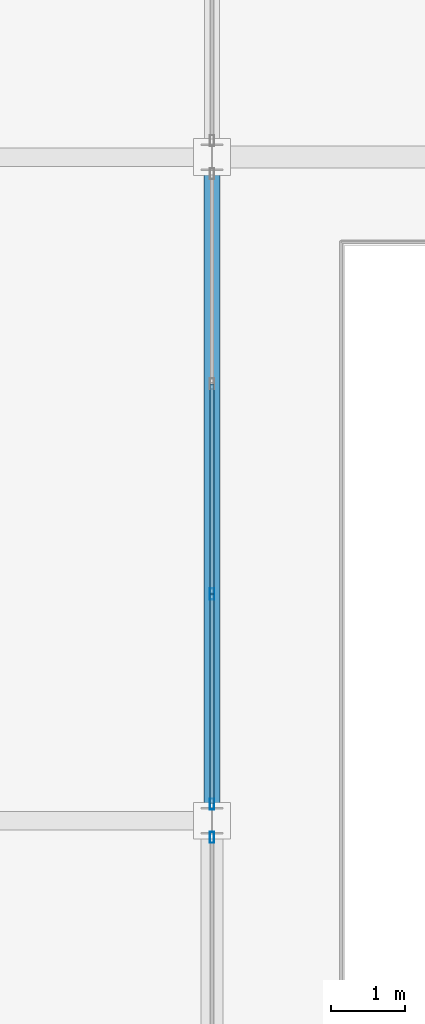
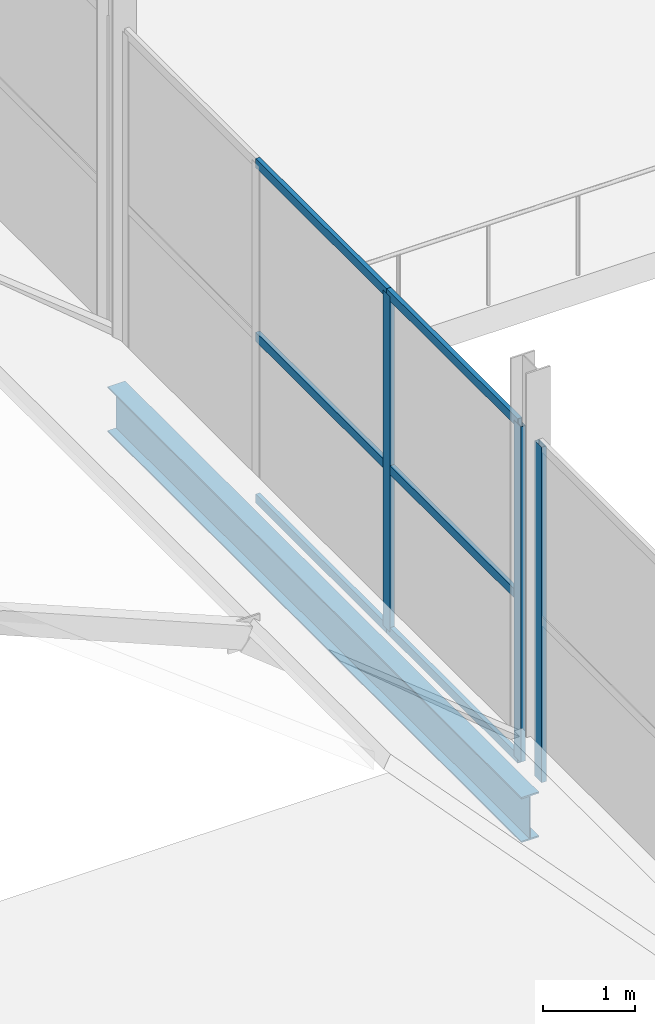
# One storey, part 34 of 141: 9 members, 1 beam, 2 elements without a shape of their own.
"""IFC4 building model written with IfcOpenShell, lengths in metres."""

from ifc_helpers import new_model, si_unit, direction, frame, origin, origin_2d, place, context, subcontext, project, spatial, hollow_rectangle, i_section, extrude, material, layer, layer_set, material_profile, profile_set, type_object, element, aggregate, save


model = new_model("IFC4")

# Units and contexts
model_context = context("Model", 3, precision=1e-05, world=origin(), true_north=direction((0.0, 1.0)))
body_context = subcontext(model_context, "Body", "Model", "MODEL_VIEW")
ifc_project = project(units=[si_unit("LENGTHUNIT", "METRE"), si_unit("AREAUNIT", "SQUARE_METRE"), si_unit("VOLUMEUNIT", "CUBIC_METRE"), si_unit("PLANEANGLEUNIT", "RADIAN"), si_unit("MASSUNIT", "GRAM", prefix="KILO")], contexts=[model_context])

# Site, building, storey
site_placement = place(None, origin())
site = spatial("IfcSite", under=ifc_project, at=site_placement, CompositionType="ELEMENT")
building_placement = place(site_placement, origin())
building = spatial("IfcBuilding", under=site, at=building_placement, Name="Sundgate Opera House", CompositionType="ELEMENT")
storey_placement = place(building_placement, frame((0.0, 0.0, 11.39990234375)))
storey = spatial("IfcBuildingStorey", under=building, at=storey_placement, Name="L02", CompositionType="ELEMENT", Elevation=11.39990234375)

# Beam
ifc_material_1 = material(Name="Steel S355J2", Category="steel")
ifc_material_profile_1 = material_profile(ifc_material_1, i_section(OverallWidth=0.219970703125, OverallDepth=0.60009765625, WebThickness=0.011962890625, FlangeThickness=0.01904296875, at=origin_2d()), Name="IPE 600")
ifc_profile_set_1 = profile_set([ifc_material_profile_1], Name="Steel S355J2")
beam_type = type_object("IfcBeamType", Name="BM-GR-IPE600", PredefinedType="BEAM", material=ifc_profile_set_1)
beam_placement = place(storey_placement, frame((95.39990234375, 51.0, -0.64990234375), z_axis=(0.0, 1.0, 0.0), x_axis=(-1.0, 0.0, 0.0)))
element("IfcBeam", 1, at=beam_placement, inside=storey, type_object=beam_type, Name="L02 Primary N-S Girder B1849", PredefinedType="BEAM", context=body_context, shape_type="SweptSolid", body=[
    extrude(i_section(OverallWidth=0.219970703125, OverallDepth=0.60009765625, WebThickness=0.011962890625, FlangeThickness=0.01904296875, at=origin_2d()), origin(), (0.0, 0.0, 1.0), 9.0),
])

# Curtain wall, member
ifc_material_2 = material(Name="Anodized aluminium and low-iron glass", Category="aluminium")
ifc_layer = layer(ifc_material_2, 0.159912109375)
ifc_layer_set = layer_set([ifc_layer], Name="Anodized aluminium and low-iron glass")
curtain_wall_type = type_object("IfcCurtainWallType", Name="CW-STUDIO-DARK", PredefinedType="NOTDEFINED", material=ifc_layer_set)
curtain_wall_1_placement = place(storey_placement, origin())
curtain_wall_1 = element("IfcCurtainWall", 2, at=curtain_wall_1_placement, inside=storey, type_object=curtain_wall_type, Name="L02 Curtain Wall CW064", PredefinedType="NOTDEFINED")
ifc_material_3 = material(Name="Anodized aluminium EN AW-6063", Category="aluminium")
ifc_material_profile_2 = material_profile(ifc_material_3, hollow_rectangle(XDim=0.06005859375, YDim=0.14990234375, WallThickness=0.00390625, at=origin_2d()), Name="CWM 150x60x4")
ifc_profile_set_2 = profile_set([ifc_material_profile_2], Name="Anodized aluminium EN AW-6063")
member_type_1 = type_object("IfcMemberType", Name="CWM-ALU-150x60", PredefinedType="MULLION", material=ifc_profile_set_2)
member_1_placement = place(storey_placement, frame((95.39990234375, 50.77490234375, 0.0), z_axis=(0.0, 0.0, 1.0), x_axis=(1.0, 0.0, 0.0)))
member_1 = element("IfcMember", 3, at=member_1_placement, type_object=member_type_1, Name="CW064 Mullion 1", PredefinedType="MULLION", context=body_context, shape_type="SweptSolid", body=[
    extrude(hollow_rectangle(XDim=0.06005859375, YDim=0.14990234375, WallThickness=0.00390625, at=origin_2d()), origin(), (0.0, 0.0, 1.0), 4.455078125),
])
aggregate(curtain_wall_1, [member_1])

# Curtain wall, members
curtain_wall_2_placement = place(storey_placement, origin())
curtain_wall_2 = element("IfcCurtainWall", 4, at=curtain_wall_2_placement, inside=storey, type_object=curtain_wall_type, Name="L02 Curtain Wall CW066", PredefinedType="NOTDEFINED")
member_2_placement = place(storey_placement, frame((95.39990234375, 54.074951171875, 0.0), z_axis=(0.0, 0.0, 1.0), x_axis=(1.0, 0.0, 0.0)))
member_2 = element("IfcMember", 5, at=member_2_placement, type_object=member_type_1, Name="CW066 Mullion 3", PredefinedType="MULLION", context=body_context, shape_type="SweptSolid", body=[
    extrude(hollow_rectangle(XDim=0.06005859375, YDim=0.14990234375, WallThickness=0.00390625, at=origin_2d()), origin(), (0.0, 0.0, 1.0), 4.455078125),
])
member_3_placement = place(storey_placement, frame((95.39990234375, 51.22509765625, 0.0), z_axis=(0.0, 0.0, 1.0), x_axis=(1.0, 0.0, 0.0)))
member_3 = element("IfcMember", 6, at=member_3_placement, type_object=member_type_1, Name="CW066 Mullion 4", PredefinedType="MULLION", context=body_context, shape_type="SweptSolid", body=[
    extrude(hollow_rectangle(XDim=0.06005859375, YDim=0.14990234375, WallThickness=0.00390625, at=origin_2d()), origin(), (0.0, 0.0, 1.0), 4.455078125),
])
ifc_material_4 = material(Name="Anodized aluminium EN AW-6063", Category="aluminium")
ifc_material_profile_3 = material_profile(ifc_material_4, hollow_rectangle(XDim=0.054931640625, YDim=0.1201171875, WallThickness=0.00390625, at=origin_2d()), Name="CWT 120x55x4")
ifc_profile_set_3 = profile_set([ifc_material_profile_3], Name="Anodized aluminium EN AW-6063")
member_type_2 = type_object("IfcMemberType", Name="CWT-ALU-120x55", PredefinedType="USERDEFINED", material=ifc_profile_set_3)
member_4_placement = place(storey_placement, frame((95.39990234375, 56.925048828125, 0.0), z_axis=(0.0, -1.0, 0.0), x_axis=(1.0, 0.0, 0.0)))
member_4 = element("IfcMember", 7, at=member_4_placement, type_object=member_type_2, Name="CW066 Transom 4", ObjectType="TRANSOM", PredefinedType="USERDEFINED", context=body_context, shape_type="SweptSolid", body=[
    extrude(hollow_rectangle(XDim=0.054931640625, YDim=0.1201171875, WallThickness=0.00390625, at=origin_2d()), origin(), (0.0, 0.0, 1.0), 2.85009765625),
])
member_5_placement = place(storey_placement, frame((95.39990234375, 56.925048828125, 2.150146484375), z_axis=(0.0, -1.0, 0.0), x_axis=(1.0, 0.0, 0.0)))
member_5 = element("IfcMember", 8, at=member_5_placement, type_object=member_type_2, Name="CW066 Transom 5", ObjectType="TRANSOM", PredefinedType="USERDEFINED", context=body_context, shape_type="SweptSolid", body=[
    extrude(hollow_rectangle(XDim=0.054931640625, YDim=0.1201171875, WallThickness=0.00390625, at=origin_2d()), origin(), (0.0, 0.0, 1.0), 2.85009765625),
])
member_6_placement = place(storey_placement, frame((95.39990234375, 56.925048828125, 4.455078125), z_axis=(0.0, -1.0, 0.0), x_axis=(1.0, 0.0, 0.0)))
member_6 = element("IfcMember", 9, at=member_6_placement, type_object=member_type_2, Name="CW066 Transom 6", ObjectType="TRANSOM", PredefinedType="USERDEFINED", context=body_context, shape_type="SweptSolid", body=[
    extrude(hollow_rectangle(XDim=0.054931640625, YDim=0.1201171875, WallThickness=0.00390625, at=origin_2d()), origin(), (0.0, 0.0, 1.0), 2.85009765625),
])
member_7_placement = place(storey_placement, frame((95.39990234375, 54.074951171875, 0.0), z_axis=(0.0, -1.0, 0.0), x_axis=(1.0, 0.0, 0.0)))
member_7 = element("IfcMember", 10, at=member_7_placement, type_object=member_type_2, Name="CW066 Transom 7", ObjectType="TRANSOM", PredefinedType="USERDEFINED", context=body_context, shape_type="SweptSolid", body=[
    extrude(hollow_rectangle(XDim=0.054931640625, YDim=0.1201171875, WallThickness=0.00390625, at=origin_2d()), origin(), (0.0, 0.0, 1.0), 2.849853515625),
])
member_8_placement = place(storey_placement, frame((95.39990234375, 54.074951171875, 2.150146484375), z_axis=(0.0, -1.0, 0.0), x_axis=(1.0, 0.0, 0.0)))
member_8 = element("IfcMember", 11, at=member_8_placement, type_object=member_type_2, Name="CW066 Transom 8", ObjectType="TRANSOM", PredefinedType="USERDEFINED", context=body_context, shape_type="SweptSolid", body=[
    extrude(hollow_rectangle(XDim=0.054931640625, YDim=0.1201171875, WallThickness=0.00390625, at=origin_2d()), origin(), (0.0, 0.0, 1.0), 2.849853515625),
])
member_9_placement = place(storey_placement, frame((95.39990234375, 54.074951171875, 4.455078125), z_axis=(0.0, -1.0, 0.0), x_axis=(1.0, 0.0, 0.0)))
member_9 = element("IfcMember", 12, at=member_9_placement, type_object=member_type_2, Name="CW066 Transom 9", ObjectType="TRANSOM", PredefinedType="USERDEFINED", context=body_context, shape_type="SweptSolid", body=[
    extrude(hollow_rectangle(XDim=0.054931640625, YDim=0.1201171875, WallThickness=0.00390625, at=origin_2d()), origin(), (0.0, 0.0, 1.0), 2.849853515625),
])
aggregate(curtain_wall_2, [member_2, member_3, member_4, member_5, member_6, member_7, member_8, member_9])

save(model, "model.ifc")
